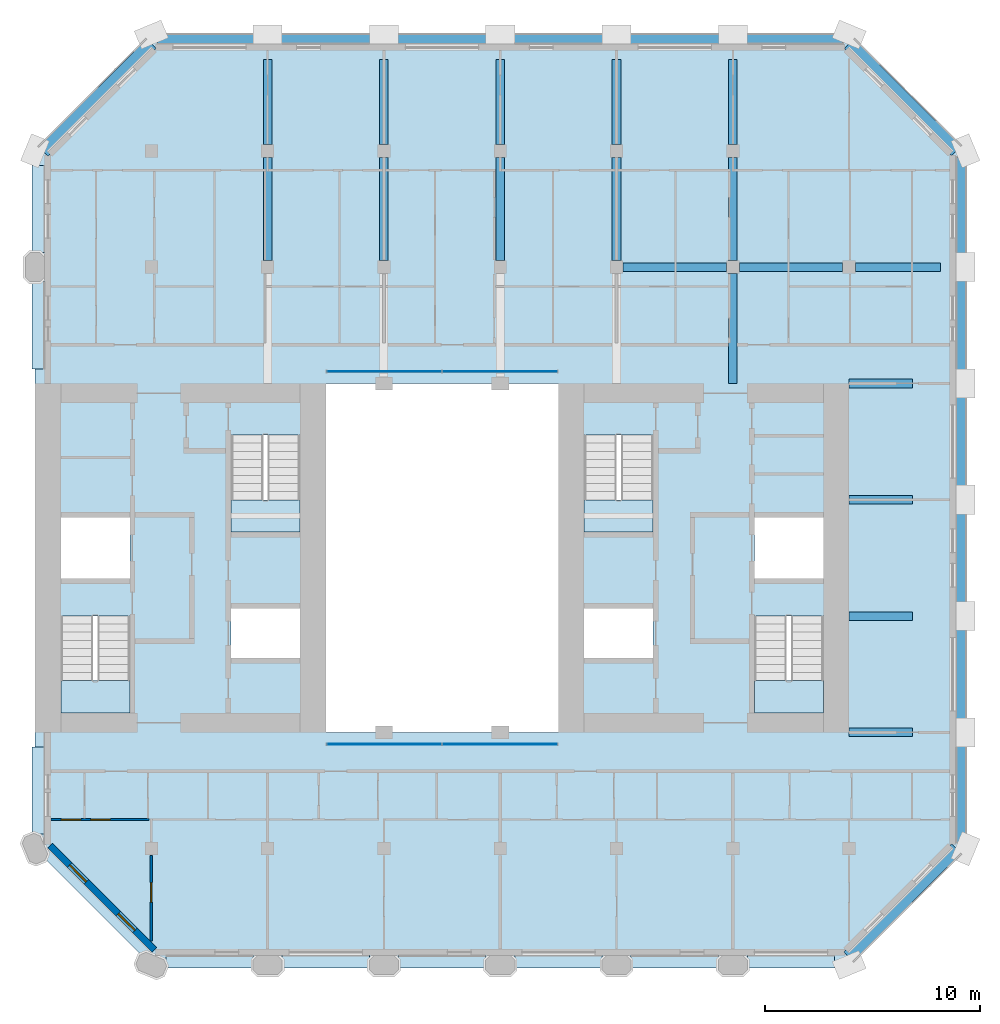
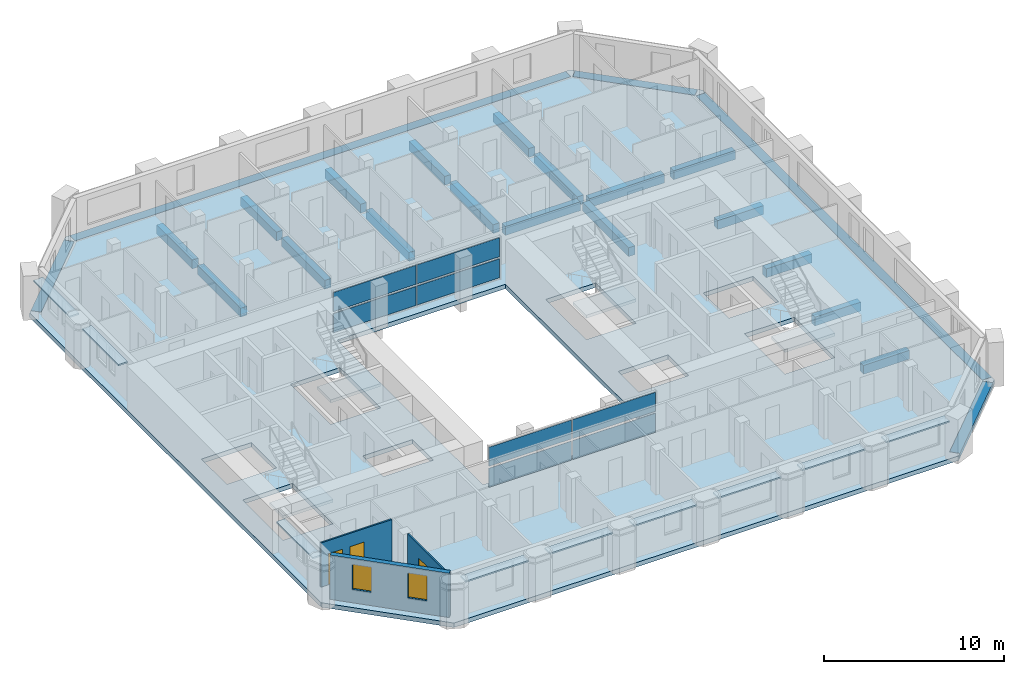
# One storey, part 3 of 13: 23 beams, 17 plates, 5 slabs, 3 doors, 3 walls, 2 windows, 5 openings, 6 elements without a shape of their own.
"""IFC4 building model written with IfcOpenShell, lengths in metres."""

from ifc_helpers import new_model, si_unit, direction, frame, frame_2d, origin, origin_2d, place, context, subcontext, project, spatial, polyline, rectangle, outline, extrude, material, layer, layer_set, material_profile, profile_set, type_object, element, fill, aggregate, save


model = new_model("IFC4")

# Units and contexts
model_context = context("Model", 3, precision=1e-05, world=origin(), true_north=direction((0.0, 1.0)))
body_context = subcontext(model_context, "Body", "Model", "MODEL_VIEW")
ifc_project = project(units=[si_unit("LENGTHUNIT", "METRE"), si_unit("AREAUNIT", "SQUARE_METRE"), si_unit("VOLUMEUNIT", "CUBIC_METRE"), si_unit("PLANEANGLEUNIT", "RADIAN"), si_unit("MASSUNIT", "GRAM", prefix="KILO")], contexts=[model_context])

# Site, building, storey
site_placement = place(None, origin())
site = spatial("IfcSite", under=ifc_project, at=site_placement, CompositionType="ELEMENT")
building_placement = place(site_placement, origin())
building = spatial("IfcBuilding", under=site, at=building_placement, Name="Tabaq Tower and Sports Hall", CompositionType="ELEMENT")
storey_placement = place(building_placement, frame((0.0, 0.0, 298.300048828125)))
storey = spatial("IfcBuildingStorey", under=building, at=storey_placement, Name="L74", CompositionType="ELEMENT", Elevation=298.300048828125)

# Beams
ifc_material_1 = material(Name="Concrete C40/50", Category="concrete")
ifc_material_profile_1 = material_profile(ifc_material_1, rectangle(XDim=0.39990234375, YDim=0.60009765625, at=origin_2d()), Name="CB 400x600")
ifc_profile_set_1 = profile_set([ifc_material_profile_1], Name="Concrete C40/50")
beam_type_1 = type_object("IfcBeamType", Name="PT CANTILEVER BEAM CB 400x600 C40/50", PredefinedType="BEAM", material=ifc_profile_set_1)
for number, where, z_axis, x_axis, name in (
    (1, (46.14990234375, 16.199951171875, -0.60009765625), (-1.0, 0.0, 0.0), (0.0, -1.0, 0.0), "Cantilever Beam L74 E3 span 1"),
    (2, (46.14990234375, 21.60009765625, -0.60009765625), (-1.0, 0.0, 0.0), (0.0, -1.0, 0.0), "Cantilever Beam L74 E4 span 1"),
    (3, (46.14990234375, 27.0, -0.60009765625), (-1.0, 0.0, 0.0), (0.0, -1.0, 0.0), "Cantilever Beam L74 E5 span 1"),
    (4, (46.14990234375, 32.39990234375, -0.60009765625), (-1.0, 0.0, 0.0), (0.0, -1.0, 0.0), "Cantilever Beam L74 E6 span 1"),
):
    element("IfcBeam", number, at=place(storey_placement, frame(where, z_axis=z_axis, x_axis=x_axis)), inside=storey, type_object=beam_type_1, Name=name, PredefinedType="BEAM", context=body_context, shape_type="SweptSolid", body=[
        extrude(rectangle(XDim=0.39990234375, YDim=0.60009765625, at=origin_2d()), origin(), (0.0, 0.0, 1.0), 2.949951171875),
    ])
beam_1_placement = place(storey_placement, frame((47.449951171875, 37.800048828125, -0.60009765625), z_axis=(-1.0, 0.0, 0.0), x_axis=(0.0, -1.0, 0.0)))
element("IfcBeam", 5, at=beam_1_placement, inside=storey, type_object=beam_type_1, Name="Cantilever Beam L74 E7 span 1", PredefinedType="BEAM", context=body_context, shape_type="SweptSolid", body=[
    extrude(rectangle(XDim=0.39990234375, YDim=0.60009765625, at=origin_2d()), origin(), (0.0, 0.0, 1.0), 3.949951171875),
])
beam_2_placement = place(storey_placement, frame((42.89990234375, 37.800048828125, -0.60009765625), z_axis=(-1.0, 0.0, 0.0), x_axis=(0.0, -1.0, 0.0)))
element("IfcBeam", 6, at=beam_2_placement, inside=storey, type_object=beam_type_1, Name="Cantilever Beam L74 E7 span 2", PredefinedType="BEAM", context=body_context, shape_type="SweptSolid", body=[
    extrude(rectangle(XDim=0.39990234375, YDim=0.60009765625, at=origin_2d()), origin(), (0.0, 0.0, 1.0), 4.7998046875),
])
beam_3_placement = place(storey_placement, frame((37.5, 37.800048828125, -0.60009765625), z_axis=(-1.0, 0.0, 0.0), x_axis=(0.0, -1.0, 0.0)))
element("IfcBeam", 7, at=beam_3_placement, inside=storey, type_object=beam_type_1, Name="Cantilever Beam L74 E7 span 3", PredefinedType="BEAM", context=body_context, shape_type="SweptSolid", body=[
    extrude(rectangle(XDim=0.39990234375, YDim=0.60009765625, at=origin_2d()), origin(), (0.0, 0.0, 1.0), 4.800048828125),
])
beam_4_placement = place(storey_placement, frame((16.199951171875, 47.449951171875, -0.60009765625), z_axis=(0.0, -1.0, 0.0), x_axis=(1.0, 0.0, 0.0)))
element("IfcBeam", 8, at=beam_4_placement, inside=storey, type_object=beam_type_1, Name="Cantilever Beam L74 N3 span 1", PredefinedType="BEAM", context=body_context, shape_type="SweptSolid", body=[
    extrude(rectangle(XDim=0.39990234375, YDim=0.60009765625, at=origin_2d()), origin(), (0.0, 0.0, 1.0), 3.949951171875),
])
beam_5_placement = place(storey_placement, frame((16.199951171875, 42.89990234375, -0.60009765625), z_axis=(0.0, -1.0, 0.0), x_axis=(1.0, 0.0, 0.0)))
element("IfcBeam", 9, at=beam_5_placement, inside=storey, type_object=beam_type_1, Name="Cantilever Beam L74 N3 span 2", PredefinedType="BEAM", context=body_context, shape_type="SweptSolid", body=[
    extrude(rectangle(XDim=0.39990234375, YDim=0.60009765625, at=origin_2d()), origin(), (0.0, 0.0, 1.0), 4.7998046875),
])
beam_6_placement = place(storey_placement, frame((21.60009765625, 47.449951171875, -0.60009765625), z_axis=(0.0, -1.0, 0.0), x_axis=(1.0, 0.0, 0.0)))
element("IfcBeam", 10, at=beam_6_placement, inside=storey, type_object=beam_type_1, Name="Cantilever Beam L74 N4 span 1", PredefinedType="BEAM", context=body_context, shape_type="SweptSolid", body=[
    extrude(rectangle(XDim=0.39990234375, YDim=0.60009765625, at=origin_2d()), origin(), (0.0, 0.0, 1.0), 3.949951171875),
])
beam_7_placement = place(storey_placement, frame((21.60009765625, 42.89990234375, -0.60009765625), z_axis=(0.0, -1.0, 0.0), x_axis=(1.0, 0.0, 0.0)))
element("IfcBeam", 11, at=beam_7_placement, inside=storey, type_object=beam_type_1, Name="Cantilever Beam L74 N4 span 2", PredefinedType="BEAM", context=body_context, shape_type="SweptSolid", body=[
    extrude(rectangle(XDim=0.39990234375, YDim=0.60009765625, at=origin_2d()), origin(), (0.0, 0.0, 1.0), 4.7998046875),
])
beam_8_placement = place(storey_placement, frame((27.0, 47.449951171875, -0.60009765625), z_axis=(0.0, -1.0, 0.0), x_axis=(1.0, 0.0, 0.0)))
element("IfcBeam", 12, at=beam_8_placement, inside=storey, type_object=beam_type_1, Name="Cantilever Beam L74 N5 span 1", PredefinedType="BEAM", context=body_context, shape_type="SweptSolid", body=[
    extrude(rectangle(XDim=0.39990234375, YDim=0.60009765625, at=origin_2d()), origin(), (0.0, 0.0, 1.0), 3.949951171875),
])
beam_9_placement = place(storey_placement, frame((27.0, 42.89990234375, -0.60009765625), z_axis=(0.0, -1.0, 0.0), x_axis=(1.0, 0.0, 0.0)))
element("IfcBeam", 13, at=beam_9_placement, inside=storey, type_object=beam_type_1, Name="Cantilever Beam L74 N5 span 2", PredefinedType="BEAM", context=body_context, shape_type="SweptSolid", body=[
    extrude(rectangle(XDim=0.39990234375, YDim=0.60009765625, at=origin_2d()), origin(), (0.0, 0.0, 1.0), 4.7998046875),
])
beam_10_placement = place(storey_placement, frame((32.39990234375, 47.449951171875, -0.60009765625), z_axis=(0.0, -1.0, 0.0), x_axis=(1.0, 0.0, 0.0)))
element("IfcBeam", 14, at=beam_10_placement, inside=storey, type_object=beam_type_1, Name="Cantilever Beam L74 N6 span 1", PredefinedType="BEAM", context=body_context, shape_type="SweptSolid", body=[
    extrude(rectangle(XDim=0.39990234375, YDim=0.60009765625, at=origin_2d()), origin(), (0.0, 0.0, 1.0), 3.949951171875),
])
beam_11_placement = place(storey_placement, frame((32.39990234375, 42.89990234375, -0.60009765625), z_axis=(0.0, -1.0, 0.0), x_axis=(1.0, 0.0, 0.0)))
element("IfcBeam", 15, at=beam_11_placement, inside=storey, type_object=beam_type_1, Name="Cantilever Beam L74 N6 span 2", PredefinedType="BEAM", context=body_context, shape_type="SweptSolid", body=[
    extrude(rectangle(XDim=0.39990234375, YDim=0.60009765625, at=origin_2d()), origin(), (0.0, 0.0, 1.0), 4.7998046875),
])
beam_12_placement = place(storey_placement, frame((37.800048828125, 47.449951171875, -0.60009765625), z_axis=(0.0, -1.0, 0.0), x_axis=(1.0, 0.0, 0.0)))
element("IfcBeam", 16, at=beam_12_placement, inside=storey, type_object=beam_type_1, Name="Cantilever Beam L74 N7 span 1", PredefinedType="BEAM", context=body_context, shape_type="SweptSolid", body=[
    extrude(rectangle(XDim=0.39990234375, YDim=0.60009765625, at=origin_2d()), origin(), (0.0, 0.0, 1.0), 3.949951171875),
])
beam_13_placement = place(storey_placement, frame((37.800048828125, 42.89990234375, -0.60009765625), z_axis=(0.0, -1.0, 0.0), x_axis=(1.0, 0.0, 0.0)))
element("IfcBeam", 17, at=beam_13_placement, inside=storey, type_object=beam_type_1, Name="Cantilever Beam L74 N7 span 2", PredefinedType="BEAM", context=body_context, shape_type="SweptSolid", body=[
    extrude(rectangle(XDim=0.39990234375, YDim=0.60009765625, at=origin_2d()), origin(), (0.0, 0.0, 1.0), 4.7998046875),
])
beam_14_placement = place(storey_placement, frame((37.800048828125, 37.5, -0.60009765625), z_axis=(0.0, -1.0, 0.0), x_axis=(1.0, 0.0, 0.0)))
element("IfcBeam", 18, at=beam_14_placement, inside=storey, type_object=beam_type_1, Name="Cantilever Beam L74 N7 span 3", PredefinedType="BEAM", context=body_context, shape_type="SweptSolid", body=[
    extrude(rectangle(XDim=0.39990234375, YDim=0.60009765625, at=origin_2d()), origin(), (0.0, 0.0, 1.0), 5.10009765625),
])
ifc_material_2 = material(Name="Concrete C40/50", Category="concrete")
ifc_material_profile_2 = material_profile(ifc_material_2, rectangle(XDim=0.60009765625, YDim=0.300048828125, at=origin_2d()), Name="EB 600x300")
ifc_profile_set_2 = profile_set([ifc_material_profile_2], Name="Concrete C40/50")
beam_type_2 = type_object("IfcBeamType", Name="PT EDGE BEAM EB 600x300 C40/50", PredefinedType="SPANDREL", material=ifc_profile_set_2)
beam_15_placement = place(storey_placement, frame((43.16455078125, 5.788818359375, -0.150146484375), z_axis=(0.707106781187, 0.707106781187, 0.0), x_axis=(-0.707106781187, 0.707106781187, 0.0)))
element("IfcBeam", 19, at=beam_15_placement, inside=storey, type_object=beam_type_2, Name="Edge Beam L74 1", PredefinedType="SPANDREL", context=body_context, shape_type="SweptSolid", body=[
    extrude(rectangle(XDim=0.60009765625, YDim=0.300048828125, at=origin_2d()), origin(), (0.0, 0.0, 1.0), 7.08837890625),
])
beam_16_placement = place(storey_placement, frame((48.300048828125, 11.0986328125, -0.150146484375), z_axis=(0.0, 1.0, 0.0), x_axis=(-1.0, 0.0, 0.0)))
element("IfcBeam", 20, at=beam_16_placement, inside=storey, type_object=beam_type_2, Name="Edge Beam L74 2", PredefinedType="SPANDREL", context=body_context, shape_type="SweptSolid", body=[
    extrude(rectangle(XDim=0.60009765625, YDim=0.300048828125, at=origin_2d()), origin(), (0.0, 0.0, 1.0), 31.802734375),
])
beam_17_placement = place(storey_placement, frame((48.1767578125, 43.198974609375, -0.150146484375), z_axis=(-0.707106781187, 0.707106781187, 0.0), x_axis=(-0.707106781187, -0.707106781187, 0.0)))
element("IfcBeam", 21, at=beam_17_placement, inside=storey, type_object=beam_type_2, Name="Edge Beam L74 3", PredefinedType="SPANDREL", context=body_context, shape_type="SweptSolid", body=[
    extrude(rectangle(XDim=0.60009765625, YDim=0.300048828125, at=origin_2d()), origin(), (0.0, 0.0, 1.0), 7.03955078125),
])
beam_18_placement = place(storey_placement, frame((42.9013671875, 48.300048828125, -0.150146484375), z_axis=(-1.0, 0.0, 0.0), x_axis=(0.0, -1.0, 0.0)))
element("IfcBeam", 22, at=beam_18_placement, inside=storey, type_object=beam_type_2, Name="Edge Beam L74 4", PredefinedType="SPANDREL", context=body_context, shape_type="SweptSolid", body=[
    extrude(rectangle(XDim=0.60009765625, YDim=0.300048828125, at=origin_2d()), origin(), (0.0, 0.0, 1.0), 31.802734375),
])
beam_19_placement = place(storey_placement, frame((10.801025390625, 48.1767578125, -0.150146484375), z_axis=(-0.707106781187, -0.707106781187, 0.0), x_axis=(0.707106781187, -0.707106781187, 0.0)))
element("IfcBeam", 23, at=beam_19_placement, inside=storey, type_object=beam_type_2, Name="Edge Beam L74 5", PredefinedType="SPANDREL", context=body_context, shape_type="SweptSolid", body=[
    extrude(rectangle(XDim=0.60009765625, YDim=0.300048828125, at=origin_2d()), origin(), (0.0, 0.0, 1.0), 7.08837890625),
])

# Curtain wall, plates
ifc_material_3 = material(Name="Aluminium alloy 6063-T6 framed glazing", Category="aluminium")
curtain_wall_type = type_object("IfcCurtainWallType", Name="CW1 curtain wall", PredefinedType="USERDEFINED", material=ifc_material_3)
curtain_wall_1_placement = place(storey_placement, origin())
curtain_wall_1 = element("IfcCurtainWall", 24, at=curtain_wall_1_placement, inside=storey, type_object=curtain_wall_type, Name="Atrium glazing L74 S", ObjectType="ATRIUM ENCLOSURE", PredefinedType="USERDEFINED")
ifc_material_4 = material(Name="Clear low-emissivity glass 28 mm", Category="glass")
ifc_layer_1 = layer(ifc_material_4, 0.028076171875)
ifc_layer_set_1 = layer_set([ifc_layer_1], Name="CW1 glass panel 28")
plate_type_1 = type_object("IfcPlateType", Name="CW1 glass panel 28", PredefinedType="CURTAIN_PANEL", material=ifc_layer_set_1)
plate_1_placement = place(storey_placement, frame((21.614990234375, 15.64990234375, 0.139892578125), z_axis=(0.0, 0.0, 1.0), x_axis=(1.0, 0.0, 0.0)))
plate_1 = element("IfcPlate", 25, at=plate_1_placement, type_object=plate_type_1, Name="CW1 panel 1.1", PredefinedType="CURTAIN_PANEL", context=body_context, shape_type="SweptSolid", body=[
    extrude(rectangle(XDim=5.31005859375, YDim=0.028076171875, at=origin_2d()), origin(), (0.0, 0.0, 1.0), 1.2900390625),
])
plate_2_placement = place(storey_placement, frame((21.614990234375, 15.64990234375, 1.56982421875), z_axis=(0.0, 0.0, 1.0), x_axis=(1.0, 0.0, 0.0)))
plate_2 = element("IfcPlate", 26, at=plate_2_placement, type_object=plate_type_1, Name="CW1 panel 1.2", PredefinedType="CURTAIN_PANEL", context=body_context, shape_type="SweptSolid", body=[
    extrude(rectangle(XDim=5.31005859375, YDim=0.028076171875, at=origin_2d()), origin(), (0.0, 0.0, 1.0), 1.2900390625),
])
plate_3_placement = place(storey_placement, frame((26.985107421875, 15.64990234375, 0.139892578125), z_axis=(0.0, 0.0, 1.0), x_axis=(1.0, 0.0, 0.0)))
plate_3 = element("IfcPlate", 27, at=plate_3_placement, type_object=plate_type_1, Name="CW1 panel 2.1", PredefinedType="CURTAIN_PANEL", context=body_context, shape_type="SweptSolid", body=[
    extrude(rectangle(XDim=5.31005859375, YDim=0.028076171875, at=origin_2d()), origin(), (0.0, 0.0, 1.0), 1.2900390625),
])
plate_4_placement = place(storey_placement, frame((26.985107421875, 15.64990234375, 1.56982421875), z_axis=(0.0, 0.0, 1.0), x_axis=(1.0, 0.0, 0.0)))
plate_4 = element("IfcPlate", 28, at=plate_4_placement, type_object=plate_type_1, Name="CW1 panel 2.2", PredefinedType="CURTAIN_PANEL", context=body_context, shape_type="SweptSolid", body=[
    extrude(rectangle(XDim=5.31005859375, YDim=0.028076171875, at=origin_2d()), origin(), (0.0, 0.0, 1.0), 1.2900390625),
])
aggregate(curtain_wall_1, [plate_1, plate_2, plate_3, plate_4])

curtain_wall_2_placement = place(storey_placement, origin())
curtain_wall_2 = element("IfcCurtainWall", 29, at=curtain_wall_2_placement, inside=storey, type_object=curtain_wall_type, Name="Atrium glazing L74 N", ObjectType="ATRIUM ENCLOSURE", PredefinedType="USERDEFINED")
plate_5_placement = place(storey_placement, frame((21.614990234375, 32.949951171875, 0.139892578125), z_axis=(0.0, 0.0, 1.0), x_axis=(1.0, 0.0, 0.0)))
plate_5 = element("IfcPlate", 30, at=plate_5_placement, type_object=plate_type_1, Name="CW1 panel 1.1", PredefinedType="CURTAIN_PANEL", context=body_context, shape_type="SweptSolid", body=[
    extrude(rectangle(XDim=5.31005859375, YDim=0.028076171875, at=origin_2d()), origin(), (0.0, 0.0, 1.0), 1.2900390625),
])
plate_6_placement = place(storey_placement, frame((21.614990234375, 32.949951171875, 1.56982421875), z_axis=(0.0, 0.0, 1.0), x_axis=(1.0, 0.0, 0.0)))
plate_6 = element("IfcPlate", 31, at=plate_6_placement, type_object=plate_type_1, Name="CW1 panel 1.2", PredefinedType="CURTAIN_PANEL", context=body_context, shape_type="SweptSolid", body=[
    extrude(rectangle(XDim=5.31005859375, YDim=0.028076171875, at=origin_2d()), origin(), (0.0, 0.0, 1.0), 1.2900390625),
])
plate_7_placement = place(storey_placement, frame((26.985107421875, 32.949951171875, 0.139892578125), z_axis=(0.0, 0.0, 1.0), x_axis=(1.0, 0.0, 0.0)))
plate_7 = element("IfcPlate", 32, at=plate_7_placement, type_object=plate_type_1, Name="CW1 panel 2.1", PredefinedType="CURTAIN_PANEL", context=body_context, shape_type="SweptSolid", body=[
    extrude(rectangle(XDim=5.31005859375, YDim=0.028076171875, at=origin_2d()), origin(), (0.0, 0.0, 1.0), 1.2900390625),
])
plate_8_placement = place(storey_placement, frame((26.985107421875, 32.949951171875, 1.56982421875), z_axis=(0.0, 0.0, 1.0), x_axis=(1.0, 0.0, 0.0)))
plate_8 = element("IfcPlate", 33, at=plate_8_placement, type_object=plate_type_1, Name="CW1 panel 2.2", PredefinedType="CURTAIN_PANEL", context=body_context, shape_type="SweptSolid", body=[
    extrude(rectangle(XDim=5.31005859375, YDim=0.028076171875, at=origin_2d()), origin(), (0.0, 0.0, 1.0), 1.2900390625),
])
aggregate(curtain_wall_2, [plate_5, plate_6, plate_7, plate_8])

# Stair, slab
ifc_material_5 = material(Name="Concrete C40/50", Category="concrete")
stair_type = type_object("IfcStairType", Name="Exit stair", PredefinedType="HALF_TURN_STAIR", material=ifc_material_5)
stair_1_placement = place(storey_placement, origin())
stair_1 = element("IfcStair", 34, at=stair_1_placement, inside=storey, type_object=stair_type, Name="L74 Exit stair ST1", PredefinedType="HALF_TURN_STAIR")
ifc_material_6 = material(Name="Concrete C40/50", Category="concrete")
ifc_layer_2 = layer(ifc_material_6, 0.199951171875)
ifc_layer_set_2 = layer_set([ifc_layer_2], Name="Exit stair landing")
slab_type_1 = type_object("IfcSlabType", Name="Exit stair landing", PredefinedType="LANDING", material=ifc_layer_set_2)
slab_1_placement = place(storey_placement, frame((0.0, 0.0, 1.449951171875)))
slab_1 = element("IfcSlab", 35, at=slab_1_placement, type_object=slab_type_1, Name="ST1 landing 1", PredefinedType="LANDING", context=body_context, shape_type="SweptSolid", body=[
    extrude(outline(polyline([(6.60009765625, 18.60009765625), (6.60009765625, 17.10009765625), (9.800048828125, 17.10009765625), (9.800048828125, 18.60009765625), (6.60009765625, 18.60009765625)])), origin(), (0.0, 0.0, 1.0), 0.199951171875),
])
aggregate(stair_1, [slab_1])

stair_2_placement = place(storey_placement, origin())
stair_2 = element("IfcStair", 36, at=stair_2_placement, inside=storey, type_object=stair_type, Name="L74 Exit stair ST2", PredefinedType="HALF_TURN_STAIR")
slab_2_placement = place(storey_placement, frame((0.0, 0.0, 1.449951171875)))
slab_2 = element("IfcSlab", 37, at=slab_2_placement, type_object=slab_type_1, Name="ST2 landing 1", PredefinedType="LANDING", context=body_context, shape_type="SweptSolid", body=[
    extrude(outline(polyline([(14.5, 27.0), (14.5, 25.5), (17.699951171875, 25.5), (17.699951171875, 27.0), (14.5, 27.0)])), origin(), (0.0, 0.0, 1.0), 0.199951171875),
])
aggregate(stair_2, [slab_2])

stair_3_placement = place(storey_placement, origin())
stair_3 = element("IfcStair", 38, at=stair_3_placement, inside=storey, type_object=stair_type, Name="L74 Exit stair ST3", PredefinedType="HALF_TURN_STAIR")
slab_3_placement = place(storey_placement, frame((0.0, 0.0, 1.449951171875)))
slab_3 = element("IfcSlab", 39, at=slab_3_placement, type_object=slab_type_1, Name="ST3 landing 1", PredefinedType="LANDING", context=body_context, shape_type="SweptSolid", body=[
    extrude(outline(polyline([(38.800048828125, 18.60009765625), (38.800048828125, 17.10009765625), (42.0, 17.10009765625), (42.0, 18.60009765625), (38.800048828125, 18.60009765625)])), origin(), (0.0, 0.0, 1.0), 0.199951171875),
])
aggregate(stair_3, [slab_3])

stair_4_placement = place(storey_placement, origin())
stair_4 = element("IfcStair", 40, at=stair_4_placement, inside=storey, type_object=stair_type, Name="L74 Exit stair ST4", PredefinedType="HALF_TURN_STAIR")
slab_4_placement = place(storey_placement, frame((0.0, 0.0, 1.449951171875)))
slab_4 = element("IfcSlab", 41, at=slab_4_placement, type_object=slab_type_1, Name="ST4 landing 1", PredefinedType="LANDING", context=body_context, shape_type="SweptSolid", body=[
    extrude(outline(polyline([(30.89990234375, 27.0), (30.89990234375, 25.5), (34.10009765625, 25.5), (34.10009765625, 27.0), (30.89990234375, 27.0)])), origin(), (0.0, 0.0, 1.0), 0.199951171875),
])
aggregate(stair_4, [slab_4])

# Slab
ifc_material_7 = material(Name="Concrete C40/50", Category="concrete")
ifc_layer_3 = layer(ifc_material_7, 0.300048828125)
ifc_layer_set_3 = layer_set([ifc_layer_3], Name="PT FLOOR SLAB 300 C40/50")
slab_type_2 = type_object("IfcSlabType", Name="PT FLOOR SLAB 300 C40/50", PredefinedType="FLOOR", material=ifc_layer_set_3)
slab_5_placement = place(storey_placement, frame((0.0, 0.0, -0.300048828125)))
element("IfcSlab", 42, at=slab_5_placement, inside=storey, type_object=slab_type_2, Name="Floor Slab L74", PredefinedType="FLOOR", context=body_context, shape_type="SweptSolid", body=[
    extrude(outline(polyline([(5.39990234375, 43.199951171875), (5.39990234375, 10.800048828125), (10.800048828125, 5.39990234375), (43.199951171875, 5.39990234375), (43.376708984375, 5.57666015625), (42.952392578125, 6.0009765625), (47.964599609375, 11.01318359375), (48.035400390625, 10.9423828125), (48.388916015625, 10.5888671875), (48.60009765625, 10.800048828125), (48.60009765625, 11.0986328125), (48.10009765625, 11.0986328125), (48.0, 11.0986328125), (48.0, 42.9013671875), (48.10009765625, 42.9013671875), (48.60009765625, 42.9013671875), (48.60009765625, 43.199951171875), (48.388916015625, 43.4111328125), (48.035400390625, 43.0576171875), (47.964599609375, 42.98681640625), (42.98681640625, 47.964599609375), (43.0576171875, 48.035400390625), (43.4111328125, 48.388916015625), (43.199951171875, 48.60009765625), (42.9013671875, 48.60009765625), (42.9013671875, 48.10009765625), (42.9013671875, 48.0), (11.0986328125, 48.0), (11.0986328125, 48.10009765625), (11.0986328125, 48.60009765625), (10.800048828125, 48.60009765625), (10.5888671875, 48.388916015625), (10.9423828125, 48.035400390625), (11.01318359375, 47.964599609375), (6.0009765625, 42.952392578125), (5.57666015625, 43.376708984375), (5.39990234375, 43.199951171875)]), holes=[polyline([(6.60009765625, 21.599365234375), (9.800048828125, 21.599365234375), (9.800048828125, 17.10009765625), (6.60009765625, 17.10009765625), (6.60009765625, 21.599365234375)]), polyline([(38.800048828125, 21.599365234375), (42.0, 21.599365234375), (42.0, 17.10009765625), (38.800048828125, 17.10009765625), (38.800048828125, 21.599365234375)]), polyline([(14.5, 21.949951171875), (17.699951171875, 21.949951171875), (17.699951171875, 19.64990234375), (14.5, 19.64990234375), (14.5, 21.949951171875)]), polyline([(30.89990234375, 21.949951171875), (34.10009765625, 21.949951171875), (34.10009765625, 19.64990234375), (30.89990234375, 19.64990234375), (30.89990234375, 21.949951171875)]), polyline([(18.89990234375, 16.199951171875), (18.89990234375, 32.39990234375), (29.699951171875, 32.39990234375), (29.699951171875, 16.199951171875), (18.89990234375, 16.199951171875)]), polyline([(6.60009765625, 26.175048828125), (9.800048828125, 26.175048828125), (9.800048828125, 23.35009765625), (6.60009765625, 23.35009765625), (6.60009765625, 26.175048828125)]), polyline([(38.800048828125, 26.175048828125), (42.0, 26.175048828125), (42.0, 23.35009765625), (38.800048828125, 23.35009765625), (38.800048828125, 26.175048828125)]), polyline([(17.699951171875, 29.99951171875), (17.699951171875, 25.5), (14.5, 25.5), (14.5, 29.99951171875), (17.699951171875, 29.99951171875)]), polyline([(34.10009765625, 29.99951171875), (34.10009765625, 25.5), (30.89990234375, 25.5), (30.89990234375, 29.99951171875), (34.10009765625, 29.99951171875)])]), origin(), (0.0, 0.0, 1.0), 0.300048828125),
])

# Plates
ifc_material_8 = material(Name="White precast concrete C60/75 blade", Category="concrete")
ifc_layer_4 = layer(ifc_material_8, 0.10009765625)
ifc_layer_set_4 = layer_set([ifc_layer_4], Name="White precast concrete C60/75 sunshade 100")
plate_type_2 = type_object("IfcPlateType", Name="White precast concrete C60/75 sunshade 100", PredefinedType="USERDEFINED", material=ifc_layer_set_4)
for number, where, z_axis, x_axis, name in (
    (43, (13.5, 5.550048828125, 2.599853515625), (0.0, 0.0, 1.0), (1.0, 0.0, 0.0), "Sunshade L74 S"),
    (44, (18.89990234375, 5.550048828125, 2.599853515625), (0.0, 0.0, 1.0), (1.0, 0.0, 0.0), "Sunshade L74 S"),
    (45, (24.300048828125, 5.550048828125, 2.599853515625), (0.0, 0.0, 1.0), (1.0, 0.0, 0.0), "Sunshade L74 S"),
    (46, (29.699951171875, 5.550048828125, 2.599853515625), (0.0, 0.0, 1.0), (1.0, 0.0, 0.0), "Sunshade L74 S"),
    (47, (35.10009765625, 5.550048828125, 2.599853515625), (0.0, 0.0, 1.0), (1.0, 0.0, 0.0), "Sunshade L74 S"),
    (48, (40.5, 5.550048828125, 2.599853515625), (0.0, 0.0, 1.0), (1.0, 0.0, 0.0), "Sunshade L74 S"),
    (49, (5.550048828125, 40.5, 2.599853515625), (0.0, 0.0, 1.0), (0.0, -1.0, 0.0), "Sunshade L74 W"),
    (50, (5.550048828125, 35.10009765625, 2.599853515625), (0.0, 0.0, 1.0), (0.0, -1.0, 0.0), "Sunshade L74 W"),
    (51, (5.550048828125, 13.5, 2.599853515625), (0.0, 0.0, 1.0), (0.0, -1.0, 0.0), "Sunshade L74 W"),
):
    element("IfcPlate", number, at=place(storey_placement, frame(where, z_axis=z_axis, x_axis=x_axis)), inside=storey, type_object=plate_type_2, Name=name, ObjectType="SUNSHADE", PredefinedType="USERDEFINED", context=body_context, shape_type="SweptSolid", body=[
        extrude(rectangle(XDim=4.050048828125, YDim=0.60009765625, at=origin_2d()), origin(), (0.0, 0.0, 1.0), 0.10009765625),
    ])

# Wall, opening, door
ifc_material_9 = material(Name="Gypsum board on steel studs", Category="steel")
ifc_layer_5 = layer(ifc_material_9, 0.10009765625)
ifc_layer_set_5 = layer_set([ifc_layer_5], Name="Partition 100 Gypsum board")
wall_type_1 = type_object("IfcWallType", Name="Partition 100 Gypsum board", PredefinedType="PARTITIONING", material=ifc_layer_set_5)
wall_1_placement = place(storey_placement, frame((10.800048828125, 6.51220703125, 0.0), z_axis=(0.0, 0.0, 1.0), x_axis=(0.0, 1.0, 0.0)))
wall_1 = element("IfcWall", 52, at=wall_1_placement, inside=storey, type_object=wall_type_1, Name="Partition wall L74", PredefinedType="PARTITIONING", context=body_context, shape_type="SweptSolid", body=[
    extrude(rectangle(XDim=3.9677734375, YDim=0.10009765625, at=frame_2d((1.98388671875, 0.0))), origin(), (0.0, 0.0, 1.0), 3.0),
])
opening_1_placement = place(wall_1_placement, frame((1.81298828125, 0.0, 0.0)))
opening_1 = element("IfcOpeningElement", 53, at=opening_1_placement, cuts=wall_1, Name="Opening L74-039", PredefinedType="OPENING", context=body_context, shape_type="SweptSolid", body=[
    extrude(rectangle(XDim=0.89990234375, YDim=2.10009765625, at=frame_2d((0.449951171875, 1.050048828125))), frame((0.0, 0.050048828125, 0.0), z_axis=(0.0, -1.0, 0.0), x_axis=(1.0, 0.0, 0.0)), (0.0, 0.0, 1.0), 0.10009765625),
])
ifc_material_10 = material(Name="Timber leaf in steel frame", Category="steel")
door_type_1 = type_object("IfcDoorType", Name="Internal door 900 right hand", OperationType="SINGLE_SWING_RIGHT", PredefinedType="DOOR", material=ifc_material_10)
door_1_placement = place(opening_1_placement, origin())
door_1 = element("IfcDoor", 54, at=door_1_placement, inside=storey, type_object=door_type_1, Name="Internal door L74-039", OperationType="SINGLE_SWING_RIGHT", OverallHeight=2.10009765625, OverallWidth=0.89990234375, PredefinedType="DOOR", context=body_context, shape_type="SweptSolid", body=[
    extrude(rectangle(XDim=0.89990234375, YDim=2.10009765625, at=frame_2d((0.449951171875, 1.050048828125))), frame((0.0, 0.02490234375, 0.0), z_axis=(0.0, -1.0, 0.0), x_axis=(1.0, 0.0, 0.0)), (0.0, 0.0, 1.0), 0.050048828125),
])
fill(opening_1, door_1)

# Wall, openings, doors
wall_2_placement = place(storey_placement, frame((10.68994140625, 12.14990234375, 0.0), z_axis=(0.0, 0.0, 1.0), x_axis=(-1.0, 0.0, 0.0)))
wall_2 = element("IfcWall", 55, at=wall_2_placement, inside=storey, type_object=wall_type_1, Name="Partition wall L74", PredefinedType="PARTITIONING", context=body_context, shape_type="SweptSolid", body=[
    extrude(rectangle(XDim=4.5390625, YDim=0.10009765625, at=frame_2d((2.26953125, 0.0))), origin(), (0.0, 0.0, 1.0), 3.0),
])
opening_2_placement = place(wall_2_placement, frame((3.159912109375, 0.0, 0.0)))
opening_2 = element("IfcOpeningElement", 56, at=opening_2_placement, cuts=wall_2, Name="Opening L74-040", PredefinedType="OPENING", context=body_context, shape_type="SweptSolid", body=[
    extrude(rectangle(XDim=0.89990234375, YDim=2.10009765625, at=frame_2d((0.449951171875, 1.050048828125))), frame((0.0, 0.050048828125, 0.0), z_axis=(0.0, -1.0, 0.0), x_axis=(1.0, 0.0, 0.0)), (0.0, 0.0, 1.0), 0.10009765625),
])
opening_3_placement = place(wall_2_placement, frame((1.7900390625, 0.0, 0.0)))
opening_3 = element("IfcOpeningElement", 57, at=opening_3_placement, cuts=wall_2, Name="Opening L74-055", PredefinedType="OPENING", context=body_context, shape_type="SweptSolid", body=[
    extrude(rectangle(XDim=0.89990234375, YDim=2.10009765625, at=frame_2d((0.449951171875, 1.050048828125))), frame((0.0, 0.050048828125, 0.0), z_axis=(0.0, -1.0, 0.0), x_axis=(1.0, 0.0, 0.0)), (0.0, 0.0, 1.0), 0.10009765625),
])
ifc_material_11 = material(Name="Timber leaf in steel frame", Category="steel")
door_type_2 = type_object("IfcDoorType", Name="Internal door 900 left hand", OperationType="SINGLE_SWING_LEFT", PredefinedType="DOOR", material=ifc_material_11)
door_2_placement = place(opening_3_placement, origin())
door_2 = element("IfcDoor", 58, at=door_2_placement, inside=storey, type_object=door_type_2, Name="Internal door L74-055", OperationType="SINGLE_SWING_LEFT", OverallHeight=2.10009765625, OverallWidth=0.89990234375, PredefinedType="DOOR", context=body_context, shape_type="SweptSolid", body=[
    extrude(rectangle(XDim=0.89990234375, YDim=2.10009765625, at=frame_2d((0.449951171875, 1.050048828125))), frame((0.0, 0.02490234375, 0.0), z_axis=(0.0, -1.0, 0.0), x_axis=(1.0, 0.0, 0.0)), (0.0, 0.0, 1.0), 0.050048828125),
])
fill(opening_3, door_2)
door_3_placement = place(opening_2_placement, origin())
door_3 = element("IfcDoor", 59, at=door_3_placement, inside=storey, type_object=door_type_1, Name="Internal door L74-040", OperationType="SINGLE_SWING_RIGHT", OverallHeight=2.10009765625, OverallWidth=0.89990234375, PredefinedType="DOOR", context=body_context, shape_type="SweptSolid", body=[
    extrude(rectangle(XDim=0.89990234375, YDim=2.10009765625, at=frame_2d((0.449951171875, 1.050048828125))), frame((0.0, 0.02490234375, 0.0), z_axis=(0.0, -1.0, 0.0), x_axis=(1.0, 0.0, 0.0)), (0.0, 0.0, 1.0), 0.050048828125),
])
fill(opening_2, door_3)

# Wall, openings, windows
ifc_material_12 = material(Name="White precast concrete C60/75", Category="concrete")
ifc_layer_6 = layer(ifc_material_12, 0.300048828125)
ifc_layer_set_6 = layer_set([ifc_layer_6], Name="White precast concrete C60/75 external wall 300")
wall_type_2 = type_object("IfcWallType", Name="White precast concrete C60/75 external wall 300", PredefinedType="SOLIDWALL", material=ifc_layer_set_6)
wall_3_placement = place(storey_placement, frame((6.098876953125, 10.949462890625, 0.0), z_axis=(0.0, 0.0, 1.0), x_axis=(0.707106781187, -0.707106781187, 0.0)))
wall_3 = element("IfcWall", 60, at=wall_3_placement, inside=storey, type_object=wall_type_2, Name="External Wall L74 SW", PredefinedType="SOLIDWALL", context=body_context, shape_type="SweptSolid", body=[
    extrude(rectangle(XDim=6.85986328125, YDim=0.300048828125, at=frame_2d((3.429931640625, 0.0))), origin(), (0.0, 0.0, 1.0), 3.0),
])
opening_4_placement = place(wall_3_placement, frame((1.27978515625, 0.0, 0.89990234375)))
opening_4 = element("IfcOpeningElement", 61, at=opening_4_placement, cuts=wall_3, Name="Opening W1B", PredefinedType="OPENING", context=body_context, shape_type="SweptSolid", body=[
    extrude(rectangle(XDim=1.10009765625, YDim=1.699951171875, at=frame_2d((0.550048828125, 0.85009765625))), frame((0.0, 0.16015625, 0.0), z_axis=(0.0, -1.0, 0.0), x_axis=(1.0, 0.0, 0.0)), (0.0, 0.0, 1.0), 0.320068359375),
])
opening_5_placement = place(wall_3_placement, frame((4.479736328125, 0.0, 0.89990234375)))
opening_5 = element("IfcOpeningElement", 62, at=opening_5_placement, cuts=wall_3, Name="Opening W1B", PredefinedType="OPENING", context=body_context, shape_type="SweptSolid", body=[
    extrude(rectangle(XDim=1.10009765625, YDim=1.699951171875, at=frame_2d((0.550048828125, 0.85009765625))), frame((0.0, 0.16015625, 0.0), z_axis=(0.0, -1.0, 0.0), x_axis=(1.0, 0.0, 0.0)), (0.0, 0.0, 1.0), 0.320068359375),
])
ifc_material_13 = material(Name="Aluminium framed clear glazing", Category="aluminium")
window_type = type_object("IfcWindowType", Name="Window W1B", PartitioningType="SINGLE_PANEL", PredefinedType="WINDOW", material=ifc_material_13)
window_1_placement = place(opening_4_placement, origin())
window_1 = element("IfcWindow", 63, at=window_1_placement, inside=storey, type_object=window_type, Name="Window W1B L74", OverallHeight=1.699951171875, OverallWidth=1.10009765625, PartitioningType="SINGLE_PANEL", PredefinedType="WINDOW", context=body_context, shape_type="SweptSolid", body=[
    extrude(rectangle(XDim=1.10009765625, YDim=1.699951171875, at=frame_2d((0.550048828125, 0.85009765625))), frame((0.0, 0.030029296875, 0.0), z_axis=(0.0, -1.0, 0.0), x_axis=(1.0, 0.0, 0.0)), (0.0, 0.0, 1.0), 0.06005859375),
])
fill(opening_4, window_1)
window_2_placement = place(opening_5_placement, origin())
window_2 = element("IfcWindow", 64, at=window_2_placement, inside=storey, type_object=window_type, Name="Window W1B L74", OverallHeight=1.699951171875, OverallWidth=1.10009765625, PartitioningType="SINGLE_PANEL", PredefinedType="WINDOW", context=body_context, shape_type="SweptSolid", body=[
    extrude(rectangle(XDim=1.10009765625, YDim=1.699951171875, at=frame_2d((0.550048828125, 0.85009765625))), frame((0.0, 0.030029296875, 0.0), z_axis=(0.0, -1.0, 0.0), x_axis=(1.0, 0.0, 0.0)), (0.0, 0.0, 1.0), 0.06005859375),
])
fill(opening_5, window_2)

save(model, "model.ifc")
